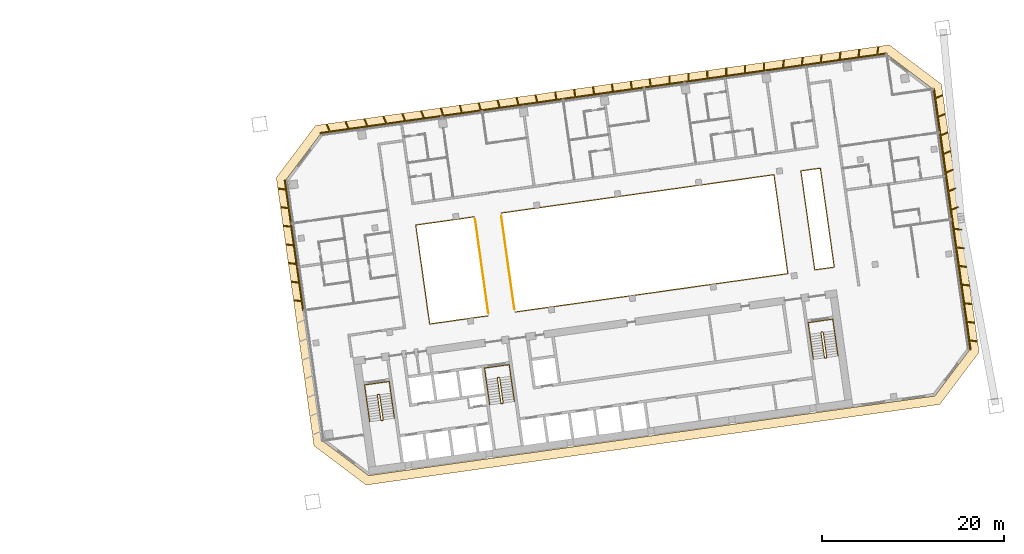
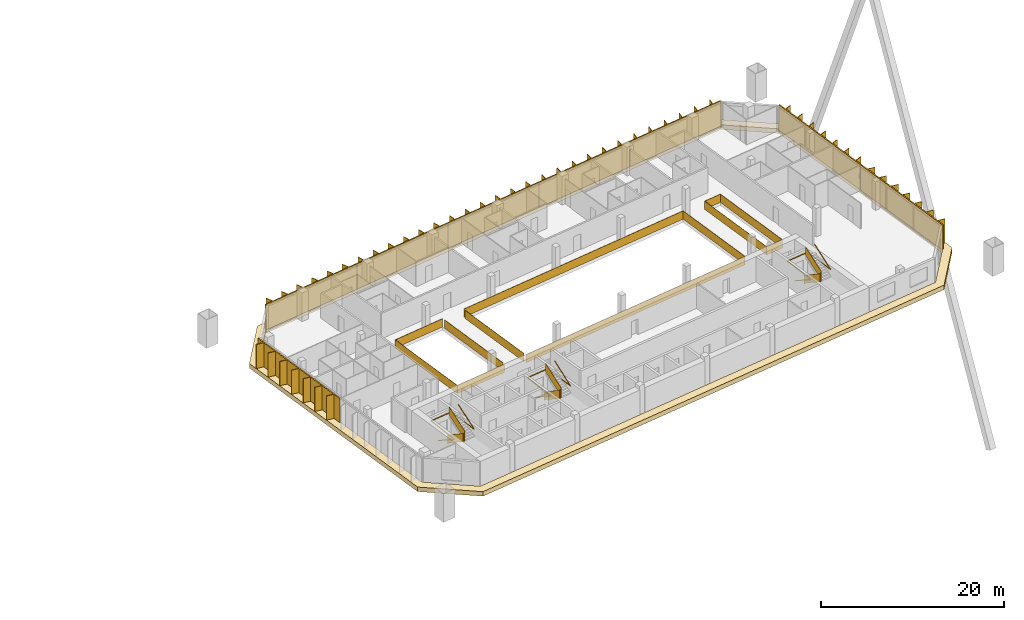
# One storey, part 33 of 33: 11 railings, 8 shading devices, 1 covering.
"""IFC4 building model written with IfcOpenShell, lengths in metres."""

import ifcopenshell
import ifcopenshell.guid

model = None  # the IFC model being written
_history = None  # IfcOwnerHistory: only IFC2X3 demands one
_inside = {}  # id of a spatial element -> (the spatial element, [elements in it])
_under = {}  # id of a project, library or spatial element -> (it, [spatial elements below it])
_declared = {}  # id of a project -> (the project, [libraries it declares])
_typed = {}  # id of a type object -> (the type object, [elements of that type])
_made_of = {}  # id of a material, layer set ... -> (it, [elements and type objects made of it])


def new_model(schema):
    """Start an empty IFC model of exactly this schema.

    Asked for "IFC4X3", IfcOpenShell would pick the latest addendum, in which some entities
    have other attributes; the version numbers below select the first issue.
    IFC2X3 requires an IfcOwnerHistory on every rooted entity: one is made here for all.
    """
    global model, _history
    if schema == "IFC4X3":
        model = ifcopenshell.file(schema_version=(4, 3, 0, 0))
    else:
        model = ifcopenshell.file(schema=schema)
    _inside.clear()
    _under.clear()
    _declared.clear()
    _typed.clear()
    _made_of.clear()
    _history = None
    if model.schema == "IFC2X3":
        org = make("IfcOrganization", Name="unknown")
        user = make(
            "IfcPersonAndOrganization",
            ThePerson=make("IfcPerson", FamilyName="unknown"),
            TheOrganization=org,
        )
        app = make(
            "IfcApplication",
            ApplicationDeveloper=org,
            Version="unknown",
            ApplicationFullName="unknown",
            ApplicationIdentifier="unknown",
        )
        _history = make(
            "IfcOwnerHistory",
            OwningUser=user,
            OwningApplication=app,
            ChangeAction="ADDED",
            CreationDate=0,
        )
    return model


def make(cls, **values):
    """One entity of the class cls with the attributes given. An attribute that is None is left unset."""
    return model.create_entity(
        cls, **{name: value for name, value in values.items() if value is not None}
    )


def rooted(cls, **values):
    """An entity with a GlobalId (a new one), such as an element, a storey or a relation."""
    return make(cls, GlobalId=ifcopenshell.guid.new(), OwnerHistory=_history, **values)


def si_unit(unit_type, name, prefix=None):
    """IfcSIUnit, for example si_unit("LENGTHUNIT", "METRE", prefix="MILLI")."""
    return make("IfcSIUnit", UnitType=unit_type, Prefix=prefix, Name=name)


def assignment(units):
    """IfcUnitAssignment: the units of a project."""
    return None if units is None else make("IfcUnitAssignment", Units=units)


def point(xyz):
    """IfcCartesianPoint."""
    return None if xyz is None else make("IfcCartesianPoint", Coordinates=xyz)


def direction(xyz):
    """IfcDirection."""
    return None if xyz is None else make("IfcDirection", DirectionRatios=xyz)


def frame(location, z_axis=None, x_axis=None):
    """IfcAxis2Placement3D, a coordinate frame: its origin and axes. An axis left out is left unset."""
    return make(
        "IfcAxis2Placement3D",
        Location=point(location),
        Axis=direction(z_axis),
        RefDirection=direction(x_axis),
    )


def frame_2d(location, x_axis=None):
    """IfcAxis2Placement2D, a coordinate frame in the plane: its origin and x axis."""
    return make(
        "IfcAxis2Placement2D", Location=point(location), RefDirection=direction(x_axis)
    )


def origin():
    """The frame at (0, 0, 0) with its axes left unset."""
    return frame((0.0, 0.0, 0.0))


def origin_2d():
    """The frame at (0, 0) in the plane with its x axis left unset."""
    return frame_2d((0.0, 0.0))


def place(relative_to, where):
    """IfcLocalPlacement: puts the frame where relative to a parent placement (None: the world)."""
    return make(
        "IfcLocalPlacement", PlacementRelTo=relative_to, RelativePlacement=where
    )


def context(
    kind, dimensions, precision=None, world=None, true_north=None, identifier=None
):
    """IfcGeometricRepresentationContext, for example the 3D "Model" context."""
    return make(
        "IfcGeometricRepresentationContext",
        ContextIdentifier=identifier,
        ContextType=kind,
        CoordinateSpaceDimension=dimensions,
        Precision=precision,
        WorldCoordinateSystem=world,
        TrueNorth=true_north,
    )


def subcontext(parent, identifier, kind, view, scale=None):
    """IfcGeometricRepresentationSubContext, for example "Body" below "Model"."""
    return make(
        "IfcGeometricRepresentationSubContext",
        ContextIdentifier=identifier,
        ContextType=kind,
        ParentContext=parent,
        TargetScale=scale,
        TargetView=view,
    )


def project(units=None, contexts=None):
    """IfcProject with its units and contexts."""
    return rooted(
        "IfcProject",
        Name="project",
        RepresentationContexts=contexts,
        UnitsInContext=assignment(units),
    )


def spatial(cls, under=None, at=None, **own):
    """A site, building, storey or space (cls), placed at a placement, below another one or the project."""
    s = rooted(cls, ObjectPlacement=at, **own)
    if under is not None:
        _under.setdefault(under.id(), (under, []))[1].append(s)
    return s


def polyline(points):
    """IfcPolyline through the points."""
    return make("IfcPolyline", Points=[point(p) for p in points])


def profile(cls, at=None, kind="AREA", **sizes):
    """A parametric profile (cls). Its sizes go by their IFC names, for example OverallWidth=200.0."""
    return make(cls, ProfileType=kind, Position=at, **sizes)


def rectangle(**sizes):
    """IfcRectangleProfileDef."""
    return profile("IfcRectangleProfileDef", **sizes)


def outline(outer, holes=None, kind="AREA"):
    """IfcArbitraryClosedProfileDef: a profile drawn as a closed curve; with holes, ...WithVoids."""
    if holes is None:
        return make("IfcArbitraryClosedProfileDef", ProfileType=kind, OuterCurve=outer)
    return make(
        "IfcArbitraryProfileDefWithVoids",
        ProfileType=kind,
        OuterCurve=outer,
        InnerCurves=holes,
    )


def extrude(swept, where, along, depth):
    """IfcExtrudedAreaSolid: the profile swept, set in the frame where, extruded along a direction by depth."""
    return make(
        "IfcExtrudedAreaSolid",
        SweptArea=swept,
        Position=where,
        ExtrudedDirection=direction(along),
        Depth=depth,
    )


def shape(context_of_items, identifier, shape_type, items):
    """IfcShapeRepresentation: the items that make up one representation, for example the "Body"."""
    return make(
        "IfcShapeRepresentation",
        ContextOfItems=context_of_items,
        RepresentationIdentifier=identifier,
        RepresentationType=shape_type,
        Items=items,
    )


def material(Name=None, Category=None):
    """IfcMaterial."""
    return make("IfcMaterial", Name=Name, Category=Category)


def layer(
    of_material, thickness, ventilated=None, Name=None, Category=None, Priority=None
):
    """IfcMaterialLayer: one layer of a wall or slab, of a material (None: an air gap)."""
    return make(
        "IfcMaterialLayer",
        Material=of_material,
        LayerThickness=thickness,
        IsVentilated=ventilated,
        Name=Name,
        Category=Category,
        Priority=Priority,
    )


def layer_set(layers, Name=None):
    """IfcMaterialLayerSet."""
    return make("IfcMaterialLayerSet", MaterialLayers=layers, LayerSetName=Name)


def made_of(thing, what):
    """Note that an element or type object is made of a material, layer set ...; save() writes the relation."""
    if what is not None:
        _made_of.setdefault(what.id(), (what, []))[1].append(thing)
    return thing


def type_object(cls, material=None, **own):
    """A type object (cls), such as IfcWallType, which elements share."""
    return made_of(rooted(cls, **own), material)


def element(
    cls,
    number,
    at=None,
    inside=None,
    cuts=None,
    type_object=None,
    material=None,
    context=None,
    identifier="Body",
    shape_type=None,
    held_by="IfcProductDefinitionShape",
    body=None,
    shapes=None,
    **own,
):
    """One element of the class cls, such as IfcWall. Its Tag is "e" and its number.

    at: its placement. inside: the storey or other place that contains it. cuts: it is an
    opening in that element (IfcRelVoidsElement). A single representation is given by context,
    identifier, shape_type and body (its items); several are given by shapes. held_by: the class
    of the entity that holds the representations. save() writes the other relations.
    """
    e = rooted(cls, Tag="e%d" % number, ObjectPlacement=at, **own)
    if body is not None:
        shapes = [shape(context, identifier, shape_type, body)]
    if shapes is not None:
        e.Representation = make(held_by, Representations=shapes)
    if inside is not None:
        _inside.setdefault(inside.id(), (inside, []))[1].append(e)
    if cuts is not None:
        rooted(
            "IfcRelVoidsElement", RelatingBuildingElement=cuts, RelatedOpeningElement=e
        )
    if type_object is not None:
        _typed.setdefault(type_object.id(), (type_object, []))[1].append(e)
    return made_of(e, material)


def aggregate(whole, parts):
    """IfcRelAggregates: a whole, such as a stair, and the parts it consists of."""
    return rooted("IfcRelAggregates", RelatingObject=whole, RelatedObjects=parts)


def save(model, path):
    """Write the relations noted so far, then the file.

    IfcRelAggregates (storeys below a building ...), IfcRelContainedInSpatialStructure (elements
    in a storey), IfcRelDefinesByType, IfcRelAssociatesMaterial and IfcRelDeclares: one each for
    every whole, place, type object, material and project.
    """
    for whole, parts in _under.values():
        aggregate(whole, parts)
    for where, things in _inside.values():
        rooted(
            "IfcRelContainedInSpatialStructure",
            RelatedElements=things,
            RelatingStructure=where,
        )
    for kind, things in _typed.values():
        rooted("IfcRelDefinesByType", RelatedObjects=things, RelatingType=kind)
    for what, things in _made_of.values():
        rooted("IfcRelAssociatesMaterial", RelatedObjects=things, RelatingMaterial=what)
    for by, libraries in _declared.values():
        rooted("IfcRelDeclares", RelatingContext=by, RelatedDefinitions=libraries)
    model.write(path)


model = new_model("IFC4")

# Units and contexts
model_context = context("Model", 3, precision=1e-05, world=origin(), true_north=direction((0.0, 1.0)))
body_context = subcontext(model_context, "Body", "Model", "MODEL_VIEW")
ifc_project = project(units=[si_unit("LENGTHUNIT", "METRE"), si_unit("AREAUNIT", "SQUARE_METRE"), si_unit("VOLUMEUNIT", "CUBIC_METRE"), si_unit("PLANEANGLEUNIT", "RADIAN"), si_unit("MASSUNIT", "GRAM", prefix="KILO")], contexts=[model_context])

# Site, building, storey
site_placement = place(None, origin())
site = spatial("IfcSite", under=ifc_project, at=site_placement, CompositionType="ELEMENT")
building_placement = place(site_placement, origin())
building = spatial("IfcBuilding", under=site, at=building_placement, Name="Mirante Cascada Hotel Towers", CompositionType="ELEMENT")
storey_placement = place(building_placement, frame((0.0, 0.0, 121.5)))
storey = spatial("IfcBuildingStorey", under=building, at=storey_placement, Name="L27", CompositionType="ELEMENT", Elevation=121.5)

# Railings
ifc_material_1 = material(Name="Toughened glass with stainless steel handrail", Category="steel")
railing_type_1 = type_object("IfcRailingType", Name="Atrium guard 1100 glass balustrade", PredefinedType="GUARDRAIL", material=ifc_material_1)
railing_1_placement = place(storey_placement, frame((48.76, 8.3112, 0.0)))
element("IfcRailing", 1, at=railing_1_placement, inside=storey, type_object=railing_type_1, Name="GUARD 2-L27-1", PredefinedType="GUARDRAIL", context=body_context, shape_type="SweptSolid", body=[
    extrude(rectangle(XDim=0.048, YDim=0.048, at=origin_2d()), frame((0.0, 0.0, 1.076), z_axis=(-0.9902694, -0.1391638, 0.0), x_axis=(0.1391638, -0.9902694, 0.0)), (0.0, 0.0, 1.0), 6.5125),
    extrude(rectangle(XDim=0.02, YDim=1.052, at=origin_2d()), frame((0.0, 0.0, 0.526), z_axis=(-0.9902694, -0.1391638, 0.0), x_axis=(0.1391638, -0.9902694, 0.0)), (0.0, 0.0, 1.0), 6.5125),
    extrude(rectangle(XDim=0.048, YDim=0.048, at=origin_2d()), frame((-6.4491, -0.9063, 1.076), z_axis=(0.1391721, -0.9902682, 0.0), x_axis=(0.9902682, 0.1391721, 0.0)), (0.0, 0.0, 1.0), 11.0001),
    extrude(rectangle(XDim=0.02, YDim=1.052, at=origin_2d()), frame((-6.4491, -0.9063, 0.526), z_axis=(0.1391721, -0.9902682, 0.0), x_axis=(0.9902682, 0.1391721, 0.0)), (0.0, 0.0, 1.0), 11.0001),
    extrude(rectangle(XDim=0.048, YDim=0.048, at=origin_2d()), frame((-4.9182, -11.7993, 1.076), z_axis=(0.9902673, 0.1391788, 0.0), x_axis=(-0.1391788, 0.9902673, 0.0)), (0.0, 0.0, 1.0), 6.5125),
    extrude(rectangle(XDim=0.02, YDim=1.052, at=origin_2d()), frame((-4.9182, -11.7993, 0.526), z_axis=(0.9902673, 0.1391788, 0.0), x_axis=(-0.1391788, 0.9902673, 0.0)), (0.0, 0.0, 1.0), 6.5125),
])
railing_2_placement = place(storey_placement, frame((53.2617, -2.1642, 0.0)))
element("IfcRailing", 2, at=railing_2_placement, inside=storey, type_object=railing_type_1, Name="GUARD 2-L27-2", PredefinedType="GUARDRAIL", context=body_context, shape_type="SweptSolid", body=[
    extrude(rectangle(XDim=0.048, YDim=0.048, at=origin_2d()), frame((0.0, 0.0, 1.076), z_axis=(0.9902682, 0.1391722, 0.0), x_axis=(-0.1391722, 0.9902682, 0.0)), (0.0, 0.0, 1.0), 30.325),
    extrude(rectangle(XDim=0.02, YDim=1.052, at=origin_2d()), frame((0.0, 0.0, 0.526), z_axis=(0.9902682, 0.1391722, 0.0), x_axis=(-0.1391722, 0.9902682, 0.0)), (0.0, 0.0, 1.0), 30.325),
    extrude(rectangle(XDim=0.048, YDim=0.048, at=origin_2d()), frame((30.0299, 4.2204, 1.076), z_axis=(-0.1391721, 0.9902682, 0.0), x_axis=(-0.9902682, -0.1391721, 0.0)), (0.0, 0.0, 1.0), 11.0001),
    extrude(rectangle(XDim=0.02, YDim=1.052, at=origin_2d()), frame((30.0299, 4.2204, 0.526), z_axis=(-0.1391721, 0.9902682, 0.0), x_axis=(-0.9902682, -0.1391721, 0.0)), (0.0, 0.0, 1.0), 11.0001),
    extrude(rectangle(XDim=0.048, YDim=0.048, at=origin_2d()), frame((28.499, 15.1134, 1.076), z_axis=(-0.9902682, -0.1391722, 0.0), x_axis=(0.1391722, -0.9902682, 0.0)), (0.0, 0.0, 1.0), 30.325),
    extrude(rectangle(XDim=0.02, YDim=1.052, at=origin_2d()), frame((28.499, 15.1134, 0.526), z_axis=(-0.9902682, -0.1391722, 0.0), x_axis=(0.1391722, -0.9902682, 0.0)), (0.0, 0.0, 1.0), 30.325),
])
railing_3_placement = place(storey_placement, frame((86.2624, 2.4738, 0.0)))
element("IfcRailing", 3, at=railing_3_placement, inside=storey, type_object=railing_type_1, Name="GUARD 2-L27-3", PredefinedType="GUARDRAIL", context=body_context, shape_type="SweptSolid", body=[
    extrude(rectangle(XDim=0.048, YDim=0.048, at=origin_2d()), frame((0.0, 0.0, 1.076), z_axis=(0.9902724, 0.1391422, 0.0), x_axis=(-0.1391422, 0.9902724, 0.0)), (0.0, 0.0, 1.0), 2.1625),
    extrude(rectangle(XDim=0.02, YDim=1.052, at=origin_2d()), frame((0.0, 0.0, 0.526), z_axis=(0.9902724, 0.1391422, 0.0), x_axis=(-0.1391422, 0.9902724, 0.0)), (0.0, 0.0, 1.0), 2.1625),
    extrude(rectangle(XDim=0.048, YDim=0.048, at=origin_2d()), frame((2.1415, 0.3009, 1.076), z_axis=(-0.1391721, 0.9902682, 0.0), x_axis=(-0.9902682, -0.1391721, 0.0)), (0.0, 0.0, 1.0), 11.0001),
    extrude(rectangle(XDim=0.02, YDim=1.052, at=origin_2d()), frame((2.1415, 0.3009, 0.526), z_axis=(-0.1391721, 0.9902682, 0.0), x_axis=(-0.9902682, -0.1391721, 0.0)), (0.0, 0.0, 1.0), 11.0001),
    extrude(rectangle(XDim=0.048, YDim=0.048, at=origin_2d()), frame((0.6106, 11.1939, 1.076), z_axis=(-0.990266, -0.1391875, 0.0), x_axis=(0.1391875, -0.990266, 0.0)), (0.0, 0.0, 1.0), 2.1626),
    extrude(rectangle(XDim=0.02, YDim=1.052, at=origin_2d()), frame((0.6106, 11.1939, 0.526), z_axis=(-0.990266, -0.1391875, 0.0), x_axis=(0.1391875, -0.990266, 0.0)), (0.0, 0.0, 1.0), 2.1626),
    extrude(rectangle(XDim=0.048, YDim=0.048, at=origin_2d()), frame((-1.5309, 10.8929, 1.076), z_axis=(0.1391733, -0.990268, 0.0), x_axis=(0.990268, 0.1391733, 0.0)), (0.0, 0.0, 1.0), 11.0),
    extrude(rectangle(XDim=0.02, YDim=1.052, at=origin_2d()), frame((-1.5309, 10.8929, 0.526), z_axis=(0.1391733, -0.990268, 0.0), x_axis=(0.990268, 0.1391733, 0.0)), (0.0, 0.0, 1.0), 11.0),
])
railing_4_placement = place(storey_placement, frame((50.2983, -2.2822, 0.0)))
element("IfcRailing", 4, at=railing_4_placement, inside=storey, type_object=railing_type_1, Name="GUARD 2-L27-4", PredefinedType="GUARDRAIL", context=body_context, shape_type="SweptSolid", body=[
    extrude(rectangle(XDim=0.048, YDim=0.048, at=origin_2d()), frame((0.0, 0.0, 1.076), z_axis=(-0.1391708, 0.9902684, 0.0), x_axis=(-0.9902684, -0.1391708, 0.0)), (0.0, 0.0, 1.0), 10.4088),
    extrude(rectangle(XDim=0.02, YDim=1.052, at=origin_2d()), frame((0.0, 0.0, 0.526), z_axis=(-0.1391708, 0.9902684, 0.0), x_axis=(-0.9902684, -0.1391708, 0.0)), (0.0, 0.0, 1.0), 10.4088),
])
railing_5_placement = place(storey_placement, frame((51.7234, 8.4292, 0.0)))
element("IfcRailing", 5, at=railing_5_placement, inside=storey, type_object=railing_type_1, Name="GUARD 2-L27-5", PredefinedType="GUARDRAIL", context=body_context, shape_type="SweptSolid", body=[
    extrude(rectangle(XDim=0.048, YDim=0.048, at=origin_2d()), frame((0.0, 0.0, 1.076), z_axis=(0.1391721, -0.9902682, 0.0), x_axis=(0.9902682, 0.1391721, 0.0)), (0.0, 0.0, 1.0), 10.4087),
    extrude(rectangle(XDim=0.02, YDim=1.052, at=origin_2d()), frame((0.0, 0.0, 0.526), z_axis=(0.1391721, -0.9902682, 0.0), x_axis=(0.9902682, 0.1391721, 0.0)), (0.0, 0.0, 1.0), 10.4087),
])

# Covering
ifc_material_2 = material(Name="Precast concrete C40/50 white", Category="concrete")
ifc_layer = layer(ifc_material_2, 0.6)
ifc_layer_set = layer_set([ifc_layer], Name="Precast concrete SUNSHADE band 1000x600")
covering_type = type_object("IfcCoveringType", Name="Precast concrete SUNSHADE band 1000x600", PredefinedType="CLADDING", material=ifc_layer_set)
covering_placement = place(storey_placement, frame((0.0, 0.0, -0.45)))
element("IfcCovering", 6, at=covering_placement, inside=storey, type_object=covering_type, Name="Precast concrete SUNSHADE band T2 L27", PredefinedType="CLADDING", context=body_context, shape_type="SweptSolid", body=[
    extrude(outline(polyline([(26.9341, 12.6299), (31.2626, 18.374), (94.4698, 27.2572), (100.2139, 22.9287), (104.3652, -6.6094), (100.0367, -12.3535), (36.8295, -21.2367), (31.0854, -16.9082), (26.9341, 12.6299)]), holes=[polyline([(103.3173, -6.3384), (99.2813, 22.3794), (94.1988, 26.2093), (31.8119, 17.4414), (27.982, 12.3589), (32.018, -16.3589), (37.1005, -20.1888), (99.4874, -11.4209), (103.3173, -6.3384)])]), origin(), (0.0, 0.0, 1.0), 0.6),
])

# Railings
ifc_material_3 = material(Name="Painted steel", Category="steel")
railing_type_2 = type_object("IfcRailingType", Name="Stair guard 1100 steel balustrade", PredefinedType="GUARDRAIL", material=ifc_material_3)
railing_6_placement = place(storey_placement, frame((38.2663, -11.2395, 0.0)))
element("IfcRailing", 7, at=railing_6_placement, inside=storey, type_object=railing_type_2, Name="L27 ST2-A stair guard 1", PredefinedType="GUARDRAIL", context=body_context, shape_type="SweptSolid", body=[
    extrude(rectangle(XDim=0.048, YDim=0.048, at=origin_2d()), frame((0.0, 0.0, 1.076), z_axis=(-0.9903326, -0.1387133, 0.0), x_axis=(0.1387133, -0.9903326, 0.0)), (0.0, 0.0, 1.0), 0.1499),
    extrude(rectangle(XDim=0.02, YDim=1.052, at=origin_2d()), frame((0.0, 0.0, 0.526), z_axis=(-0.9903326, -0.1387133, 0.0), x_axis=(0.1387133, -0.9903326, 0.0)), (0.0, 0.0, 1.0), 0.1499),
    extrude(rectangle(XDim=0.048, YDim=0.048, at=origin_2d()), frame((-0.1485, -0.0208, 1.076), z_axis=(-0.6020331, -0.7984711, 0.0), x_axis=(0.7984711, -0.6020331, 0.0)), (0.0, 0.9253398, 0.3791387), 0.1866),
    extrude(rectangle(XDim=0.02, YDim=1.052, at=origin_2d()), frame((-0.1485, -0.0208, 0.526), z_axis=(-0.6020331, -0.7984711, 0.0), x_axis=(0.7984711, -0.6020331, 0.0)), (0.0, 0.9253398, 0.3791387), 0.1866),
    extrude(rectangle(XDim=0.048, YDim=0.048, at=origin_2d()), frame((-0.1911, -0.0773, 1.2487), z_axis=(0.139176, -0.9902677, 0.0), x_axis=(0.9902677, 0.139176, 0.0)), (0.0, 0.5250212, 0.8510891), 3.29),
    extrude(rectangle(XDim=0.02, YDim=1.052, at=origin_2d()), frame((-0.1911, -0.0773, 0.6987), z_axis=(0.139176, -0.9902677, 0.0), x_axis=(0.9902677, 0.139176, 0.0)), (0.0, 0.5250212, 0.8510891), 3.29),
    extrude(rectangle(XDim=0.048, YDim=0.048, at=origin_2d()), frame((0.1986, -2.8501, 2.976), z_axis=(0.9944948, -0.1047858, 0.0), x_axis=(0.1047858, 0.9944948, 0.0)), (0.0, 0.0, 1.0), 0.2061),
    extrude(rectangle(XDim=0.02, YDim=1.052, at=origin_2d()), frame((0.1986, -2.8501, 2.426), z_axis=(0.9944948, -0.1047858, 0.0), x_axis=(0.1047858, 0.9944948, 0.0)), (0.0, 0.0, 1.0), 0.2061),
    extrude(rectangle(XDim=0.048, YDim=0.048, at=origin_2d()), frame((0.4036, -2.8717, 2.976), z_axis=(-0.9902408, -0.1393672, 0.0), x_axis=(0.1393672, -0.9902408, 0.0)), (0.0, 0.0, 1.0), 0.15),
    extrude(rectangle(XDim=0.02, YDim=1.052, at=origin_2d()), frame((0.4036, -2.8717, 2.426), z_axis=(-0.9902408, -0.1393672, 0.0), x_axis=(0.1393672, -0.9902408, 0.0)), (0.0, 0.0, 1.0), 0.15),
    extrude(rectangle(XDim=0.048, YDim=0.048, at=origin_2d()), frame((0.2551, -2.8926, 2.976), z_axis=(0.9270311, 0.3749843, 0.0), x_axis=(-0.3749843, 0.9270311, 0.0)), (0.0, 0.6421903, 0.7665452), 0.2689),
    extrude(rectangle(XDim=0.02, YDim=1.052, at=origin_2d()), frame((0.2551, -2.8926, 2.426), z_axis=(0.9270311, 0.3749843, 0.0), x_axis=(-0.3749843, 0.9270311, 0.0)), (0.0, 0.6421903, 0.7665452), 0.2689),
    extrude(rectangle(XDim=0.048, YDim=0.048, at=origin_2d()), frame((0.4462, -2.8153, 3.1487), z_axis=(-0.139176, 0.9902677, 0.0), x_axis=(-0.9902677, -0.139176, 0.0)), (0.0, 0.5250212, 0.8510891), 3.29),
    extrude(rectangle(XDim=0.02, YDim=1.052, at=origin_2d()), frame((0.4462, -2.8153, 2.5987), z_axis=(-0.139176, 0.9902677, 0.0), x_axis=(-0.9902677, -0.139176, 0.0)), (0.0, 0.5250212, 0.8510891), 3.29),
])
railing_7_placement = place(storey_placement, frame((51.4864, -9.3815, 0.0)))
element("IfcRailing", 8, at=railing_7_placement, inside=storey, type_object=railing_type_2, Name="L27 ST2-B stair guard 1", PredefinedType="GUARDRAIL", context=body_context, shape_type="SweptSolid", body=[
    extrude(rectangle(XDim=0.048, YDim=0.048, at=origin_2d()), frame((0.0, 0.0, 1.076), z_axis=(-0.9902408, -0.1393672, 0.0), x_axis=(0.1393672, -0.9902408, 0.0)), (0.0, 0.0, 1.0), 0.15),
    extrude(rectangle(XDim=0.02, YDim=1.052, at=origin_2d()), frame((0.0, 0.0, 0.526), z_axis=(-0.9902408, -0.1393672, 0.0), x_axis=(0.1393672, -0.9902408, 0.0)), (0.0, 0.0, 1.0), 0.15),
    extrude(rectangle(XDim=0.048, YDim=0.048, at=origin_2d()), frame((-0.1485, -0.0209, 1.076), z_axis=(-0.6020331, -0.7984711, 0.0), x_axis=(0.7984711, -0.6020331, 0.0)), (0.0, 0.9253398, 0.3791387), 0.1866),
    extrude(rectangle(XDim=0.02, YDim=1.052, at=origin_2d()), frame((-0.1485, -0.0209, 0.526), z_axis=(-0.6020331, -0.7984711, 0.0), x_axis=(0.7984711, -0.6020331, 0.0)), (0.0, 0.9253398, 0.3791387), 0.1866),
    extrude(rectangle(XDim=0.048, YDim=0.048, at=origin_2d()), frame((-0.1911, -0.0774, 1.2487), z_axis=(0.139181, -0.990267, 0.0), x_axis=(0.990267, 0.139181, 0.0)), (0.0, 0.5250347, 0.8510808), 3.2899),
    extrude(rectangle(XDim=0.02, YDim=1.052, at=origin_2d()), frame((-0.1911, -0.0774, 0.6987), z_axis=(0.139181, -0.990267, 0.0), x_axis=(0.990267, 0.139181, 0.0)), (0.0, 0.5250347, 0.8510808), 3.2899),
    extrude(rectangle(XDim=0.048, YDim=0.048, at=origin_2d()), frame((0.1986, -2.8501, 2.976), z_axis=(0.9944441, -0.1052656, 0.0), x_axis=(0.1052656, 0.9944441, 0.0)), (0.0, 0.0, 1.0), 0.2061),
    extrude(rectangle(XDim=0.02, YDim=1.052, at=origin_2d()), frame((0.1986, -2.8501, 2.426), z_axis=(0.9944441, -0.1052656, 0.0), x_axis=(0.1052656, 0.9944441, 0.0)), (0.0, 0.0, 1.0), 0.2061),
    extrude(rectangle(XDim=0.048, YDim=0.048, at=origin_2d()), frame((0.4036, -2.8718, 2.976), z_axis=(-0.9902408, -0.1393672, 0.0), x_axis=(0.1393672, -0.9902408, 0.0)), (0.0, 0.0, 1.0), 0.15),
    extrude(rectangle(XDim=0.02, YDim=1.052, at=origin_2d()), frame((0.4036, -2.8718, 2.426), z_axis=(-0.9902408, -0.1393672, 0.0), x_axis=(0.1393672, -0.9902408, 0.0)), (0.0, 0.0, 1.0), 0.15),
    extrude(rectangle(XDim=0.048, YDim=0.048, at=origin_2d()), frame((0.2551, -2.8927, 2.976), z_axis=(0.9268624, 0.3754011, 0.0), x_axis=(-0.3754011, 0.9268624, 0.0)), (0.0, 0.6421217, 0.7666028), 0.269),
    extrude(rectangle(XDim=0.02, YDim=1.052, at=origin_2d()), frame((0.2551, -2.8927, 2.426), z_axis=(0.9268624, 0.3754011, 0.0), x_axis=(-0.3754011, 0.9268624, 0.0)), (0.0, 0.6421217, 0.7666028), 0.269),
    extrude(rectangle(XDim=0.048, YDim=0.048, at=origin_2d()), frame((0.4462, -2.8153, 3.1487), z_axis=(-0.139181, 0.990267, 0.0), x_axis=(-0.990267, -0.139181, 0.0)), (0.0, 0.5250347, 0.8510808), 3.2899),
    extrude(rectangle(XDim=0.02, YDim=1.052, at=origin_2d()), frame((0.4462, -2.8153, 2.5987), z_axis=(-0.139181, 0.990267, 0.0), x_axis=(-0.990267, -0.139181, 0.0)), (0.0, 0.5250347, 0.8510808), 3.2899),
])
railing_8_placement = place(storey_placement, frame((87.1361, -4.3713, 0.0)))
element("IfcRailing", 9, at=railing_8_placement, inside=storey, type_object=railing_type_2, Name="L27 ST2-C stair guard 1", PredefinedType="GUARDRAIL", context=body_context, shape_type="SweptSolid", body=[
    extrude(rectangle(XDim=0.048, YDim=0.048, at=origin_2d()), frame((0.0, 0.0, 1.076), z_axis=(-0.9902537, -0.1392753, 0.0), x_axis=(0.1392753, -0.9902537, 0.0)), (0.0, 0.0, 1.0), 0.1501),
    extrude(rectangle(XDim=0.02, YDim=1.052, at=origin_2d()), frame((0.0, 0.0, 0.526), z_axis=(-0.9902537, -0.1392753, 0.0), x_axis=(0.1392753, -0.9902537, 0.0)), (0.0, 0.0, 1.0), 0.1501),
    extrude(rectangle(XDim=0.048, YDim=0.048, at=origin_2d()), frame((-0.1486, -0.0209, 1.076), z_axis=(-0.601811, -0.7986386, 0.0), x_axis=(0.7986386, -0.601811, 0.0)), (0.0, 0.925603, 0.3784959), 0.1866),
    extrude(rectangle(XDim=0.02, YDim=1.052, at=origin_2d()), frame((-0.1486, -0.0209, 0.526), z_axis=(-0.601811, -0.7986386, 0.0), x_axis=(0.7986386, -0.601811, 0.0)), (0.0, 0.925603, 0.3784959), 0.1866),
    extrude(rectangle(XDim=0.048, YDim=0.048, at=origin_2d()), frame((-0.1911, -0.0773, 1.2487), z_axis=(0.139176, -0.9902677, 0.0), x_axis=(0.9902677, 0.139176, 0.0)), (0.0, 0.5250212, 0.8510891), 3.29),
    extrude(rectangle(XDim=0.02, YDim=1.052, at=origin_2d()), frame((-0.1911, -0.0773, 0.6987), z_axis=(0.139176, -0.9902677, 0.0), x_axis=(0.9902677, 0.139176, 0.0)), (0.0, 0.5250212, 0.8510891), 3.29),
    extrude(rectangle(XDim=0.048, YDim=0.048, at=origin_2d()), frame((0.1986, -2.8501, 2.976), z_axis=(0.9944441, -0.1052656, 0.0), x_axis=(0.1052656, 0.9944441, 0.0)), (0.0, 0.0, 1.0), 0.2061),
    extrude(rectangle(XDim=0.02, YDim=1.052, at=origin_2d()), frame((0.1986, -2.8501, 2.426), z_axis=(0.9944441, -0.1052656, 0.0), x_axis=(0.1052656, 0.9944441, 0.0)), (0.0, 0.0, 1.0), 0.2061),
    extrude(rectangle(XDim=0.048, YDim=0.048, at=origin_2d()), frame((0.4036, -2.8718, 2.976), z_axis=(-0.9903454, -0.1386217, 0.0), x_axis=(0.1386217, -0.9903454, 0.0)), (0.0, 0.0, 1.0), 0.15),
    extrude(rectangle(XDim=0.02, YDim=1.052, at=origin_2d()), frame((0.4036, -2.8718, 2.426), z_axis=(-0.9903454, -0.1386217, 0.0), x_axis=(0.1386217, -0.9903454, 0.0)), (0.0, 0.0, 1.0), 0.15),
    extrude(rectangle(XDim=0.048, YDim=0.048, at=origin_2d()), frame((0.255, -2.8926, 2.976), z_axis=(0.9270311, 0.3749843, 0.0), x_axis=(-0.3749843, 0.9270311, 0.0)), (0.0, 0.6421903, 0.7665452), 0.2689),
    extrude(rectangle(XDim=0.02, YDim=1.052, at=origin_2d()), frame((0.255, -2.8926, 2.426), z_axis=(0.9270311, 0.3749843, 0.0), x_axis=(-0.3749843, 0.9270311, 0.0)), (0.0, 0.6421903, 0.7665452), 0.2689),
    extrude(rectangle(XDim=0.048, YDim=0.048, at=origin_2d()), frame((0.4461, -2.8153, 3.1487), z_axis=(-0.139176, 0.9902677, 0.0), x_axis=(-0.9902677, -0.139176, 0.0)), (0.0, 0.5250212, 0.8510891), 3.29),
    extrude(rectangle(XDim=0.02, YDim=1.052, at=origin_2d()), frame((0.4461, -2.8153, 2.5987), z_axis=(-0.139176, 0.9902677, 0.0), x_axis=(-0.9902677, -0.139176, 0.0)), (0.0, 0.5250212, 0.8510891), 3.29),
])
ifc_material_4 = material(Name="Painted steel", Category="steel")
railing_type_3 = type_object("IfcRailingType", Name="Stair handrail 900 steel tube", PredefinedType="HANDRAIL", material=ifc_material_4)
railing_9_placement = place(storey_placement, frame((36.8374, -11.4908, 0.1727)))
element("IfcRailing", 10, at=railing_9_placement, inside=storey, type_object=railing_type_3, Name="L27 ST2-A stair handrail 1", PredefinedType="HANDRAIL", context=body_context, shape_type="SweptSolid", body=[
    extrude(rectangle(XDim=0.048, YDim=0.048, at=origin_2d()), frame((0.0, 0.0, 0.876), z_axis=(0.139181, -0.990267, 0.0), x_axis=(0.990267, 0.139181, 0.0)), (0.0, 0.5250347, 0.8510808), 3.2899),
    extrude(rectangle(XDim=0.048, YDim=0.048, at=origin_2d()), frame((0.3897, -2.7727, 2.6033), z_axis=(-0.1391707, 0.9902684, 0.0), x_axis=(-0.9902684, -0.1391707, 0.0)), (0.0, 0.0420846, 0.999114), 4.1036),
    extrude(rectangle(XDim=0.048, YDim=0.048, at=origin_2d()), frame((-0.1809, 1.2874, 2.776), z_axis=(0.9902691, 0.1391657, 0.0), x_axis=(-0.1391657, 0.9902691, 0.0)), (0.0, 0.0, 1.0), 2.75),
    extrude(rectangle(XDim=0.048, YDim=0.048, at=origin_2d()), frame((2.5423, 1.6701, 2.776), z_axis=(0.1391707, -0.9902684, 0.0), x_axis=(0.9902684, 0.1391707, 0.0)), (0.0, 0.0, 1.0), 4.1),
    extrude(rectangle(XDim=0.048, YDim=0.048, at=origin_2d()), frame((3.1129, -2.39, 2.776), z_axis=(-0.139181, 0.990267, 0.0), x_axis=(-0.990267, -0.139181, 0.0)), (0.0, 0.5250347, 0.8510808), 3.2899),
])
railing_10_placement = place(storey_placement, frame((50.0575, -9.6328, 0.1727)))
element("IfcRailing", 11, at=railing_10_placement, inside=storey, type_object=railing_type_3, Name="L27 ST2-B stair handrail 1", PredefinedType="HANDRAIL", context=body_context, shape_type="SweptSolid", body=[
    extrude(rectangle(XDim=0.048, YDim=0.048, at=origin_2d()), frame((0.0, 0.0, 0.876), z_axis=(0.139176, -0.9902677, 0.0), x_axis=(0.9902677, 0.139176, 0.0)), (0.0, 0.5250212, 0.8510891), 3.29),
    extrude(rectangle(XDim=0.048, YDim=0.048, at=origin_2d()), frame((0.3897, -2.7728, 2.6033), z_axis=(-0.1391707, 0.9902684, 0.0), x_axis=(-0.9902684, -0.1391707, 0.0)), (0.0, 0.0420846, 0.999114), 4.1036),
    extrude(rectangle(XDim=0.048, YDim=0.048, at=origin_2d()), frame((-0.1809, 1.2873, 2.776), z_axis=(0.9902641, 0.1392013, 0.0), x_axis=(-0.1392013, 0.9902641, 0.0)), (0.0, 0.0, 1.0), 2.75),
    extrude(rectangle(XDim=0.048, YDim=0.048, at=origin_2d()), frame((2.5423, 1.6701, 2.776), z_axis=(0.1391707, -0.9902684, 0.0), x_axis=(0.9902684, 0.1391707, 0.0)), (0.0, 0.0, 1.0), 4.1),
    extrude(rectangle(XDim=0.048, YDim=0.048, at=origin_2d()), frame((3.1129, -2.39, 2.776), z_axis=(-0.139181, 0.990267, 0.0), x_axis=(-0.990267, -0.139181, 0.0)), (0.0, 0.5250347, 0.8510808), 3.2899),
])
railing_11_placement = place(storey_placement, frame((85.7071, -4.6226, 0.1727)))
element("IfcRailing", 12, at=railing_11_placement, inside=storey, type_object=railing_type_3, Name="L27 ST2-C stair handrail 1", PredefinedType="HANDRAIL", context=body_context, shape_type="SweptSolid", body=[
    extrude(rectangle(XDim=0.048, YDim=0.048, at=origin_2d()), frame((0.0, 0.0, 0.876), z_axis=(0.139181, -0.990267, 0.0), x_axis=(0.990267, 0.139181, 0.0)), (0.0, 0.5250347, 0.8510808), 3.2899),
    extrude(rectangle(XDim=0.048, YDim=0.048, at=origin_2d()), frame((0.3897, -2.7727, 2.6033), z_axis=(-0.1391707, 0.9902684, 0.0), x_axis=(-0.9902684, -0.1391707, 0.0)), (0.0, 0.0420846, 0.999114), 4.1036),
    extrude(rectangle(XDim=0.048, YDim=0.048, at=origin_2d()), frame((-0.1809, 1.2874, 2.776), z_axis=(0.9902691, 0.1391657, 0.0), x_axis=(-0.1391657, 0.9902691, 0.0)), (0.0, 0.0, 1.0), 2.75),
    extrude(rectangle(XDim=0.048, YDim=0.048, at=origin_2d()), frame((2.5423, 1.6701, 2.776), z_axis=(0.1391947, -0.990265, 0.0), x_axis=(0.990265, 0.1391947, 0.0)), (0.0, 0.0, 1.0), 4.1),
    extrude(rectangle(XDim=0.048, YDim=0.048, at=origin_2d()), frame((3.113, -2.39, 2.776), z_axis=(-0.139181, 0.990267, 0.0), x_axis=(-0.990267, -0.139181, 0.0)), (0.0, 0.5250347, 0.8510808), 3.2899),
])

# Shading devices
ifc_material_5 = material(Name="White precast concrete C50/60 fin", Category="concrete")
shading_device_type = type_object("IfcShadingDeviceType", Name="Vertical fin set 4500x900", PredefinedType="USERDEFINED", material=ifc_material_5)
shading_device_1_placement = place(storey_placement, origin())
element("IfcShadingDevice", 13, at=shading_device_1_placement, inside=storey, type_object=shading_device_type, Name="FIN T2 L27 front 1", ObjectType="FIN", PredefinedType="USERDEFINED", context=body_context, shape_type="SweptSolid", body=[
    extrude(outline(polyline([(82.8967, 25.5893), (82.7946, 24.758), (84.7922, 25.0387), (84.8968, 25.8913), (84.9762, 25.8815), (84.8742, 25.0503), (86.8717, 25.331), (86.9764, 26.1835), (87.0558, 26.1738), (86.9537, 25.3425), (88.9513, 25.6233), (89.056, 26.4758), (89.1354, 26.4661), (89.0333, 25.6348), (91.0308, 25.9155), (91.1355, 26.7681), (91.2149, 26.7583), (91.1129, 25.9271), (93.1104, 26.2078), (93.2151, 27.0603), (93.2945, 27.0506), (93.1924, 26.2193), (94.1779, 26.3578), (94.1988, 26.2093), (81.7214, 24.4557), (81.7006, 24.6042), (82.7126, 24.7465), (82.8173, 25.599), (82.8967, 25.5893)])), origin(), (0.0, 0.0, 1.0), 3.35),
])
shading_device_2_placement = place(storey_placement, origin())
element("IfcShadingDevice", 14, at=shading_device_2_placement, inside=storey, type_object=shading_device_type, Name="FIN T2 L27 front 2", ObjectType="FIN", PredefinedType="USERDEFINED", context=body_context, shape_type="SweptSolid", body=[
    extrude(outline(polyline([(70.3021, 23.8476), (70.3094, 23.0033), (72.3091, 23.2844), (72.3016, 24.1392), (72.3816, 24.1399), (72.389, 23.2956), (74.3886, 23.5766), (74.3812, 24.4314), (74.4612, 24.4321), (74.4686, 23.5878), (76.4682, 23.8689), (76.4608, 24.7237), (76.5407, 24.7244), (76.5481, 23.8801), (78.5478, 24.1611), (78.5403, 25.0159), (78.6203, 25.0166), (78.6277, 24.1724), (80.6273, 24.4534), (80.6199, 25.3082), (80.6999, 25.3089), (80.7072, 24.4646), (81.7006, 24.6042), (81.7214, 24.4557), (69.2441, 22.7021), (69.2232, 22.8507), (70.2295, 22.9921), (70.2221, 23.8469), (70.3021, 23.8476)])), origin(), (0.0, 0.0, 1.0), 3.35),
])
shading_device_3_placement = place(storey_placement, origin())
element("IfcShadingDevice", 15, at=shading_device_3_placement, inside=storey, type_object=shading_device_type, Name="FIN T2 L27 front 3", ObjectType="FIN", PredefinedType="USERDEFINED", context=body_context, shape_type="SweptSolid", body=[
    extrude(outline(polyline([(57.7069, 22.0905), (57.8252, 21.2488), (59.8255, 21.5299), (59.7072, 22.3716), (59.7865, 22.3828), (59.9048, 21.541), (61.9051, 21.8222), (61.7868, 22.6639), (61.866, 22.675), (61.9843, 21.8333), (63.9847, 22.1144), (63.8664, 22.9562), (63.9456, 22.9673), (64.0639, 22.1256), (66.0642, 22.4067), (65.9459, 23.2484), (66.0251, 23.2596), (66.1434, 22.4178), (68.1438, 22.699), (68.0255, 23.5407), (68.1047, 23.5518), (68.223, 22.7101), (69.2232, 22.8507), (69.2441, 22.7021), (56.7667, 20.9485), (56.7458, 21.0971), (57.746, 21.2376), (57.6277, 22.0794), (57.7069, 22.0905)])), origin(), (0.0, 0.0, 1.0), 3.35),
])
shading_device_4_placement = place(storey_placement, origin())
element("IfcShadingDevice", 16, at=shading_device_4_placement, inside=storey, type_object=shading_device_type, Name="FIN T2 L27 front 4", ObjectType="FIN", PredefinedType="USERDEFINED", context=body_context, shape_type="SweptSolid", body=[
    extrude(outline(polyline([(45.1132, 20.3181), (45.3416, 19.4943), (47.3413, 19.7754), (47.1157, 20.589), (47.1928, 20.6103), (47.4212, 19.7866), (49.4209, 20.0676), (49.1952, 20.8812), (49.2723, 20.9026), (49.5008, 20.0789), (51.5004, 20.3599), (51.2748, 21.1735), (51.3519, 21.1949), (51.5803, 20.3711), (53.58, 20.6521), (53.3544, 21.4657), (53.4314, 21.4871), (53.6599, 20.6634), (55.6595, 20.9444), (55.4339, 21.758), (55.511, 21.7794), (55.7394, 20.9556), (56.7458, 21.0971), (56.7667, 20.9485), (44.2893, 19.195), (44.2684, 19.3435), (45.2617, 19.4831), (45.0361, 20.2967), (45.1132, 20.3181)])), origin(), (0.0, 0.0, 1.0), 3.35),
])
shading_device_5_placement = place(storey_placement, origin())
element("IfcShadingDevice", 17, at=shading_device_5_placement, inside=storey, type_object=shading_device_type, Name="FIN T2 L27 front 5", ObjectType="FIN", PredefinedType="USERDEFINED", context=body_context, shape_type="SweptSolid", body=[
    extrude(outline(polyline([(32.5229, 18.5306), (32.8586, 17.7399), (34.8561, 18.0207), (34.5289, 18.7916), (34.6025, 18.8229), (34.9381, 18.0322), (36.9357, 18.3129), (36.6084, 19.0839), (36.6821, 19.1151), (37.0177, 18.3245), (39.0152, 18.6052), (38.688, 19.3761), (38.7616, 19.4074), (39.0973, 18.6167), (41.0948, 18.8975), (40.7676, 19.6684), (40.8412, 19.6997), (41.1768, 18.909), (43.1744, 19.1897), (42.8471, 19.9607), (42.9208, 19.9919), (43.2564, 19.2013), (44.2684, 19.3435), (44.2893, 19.195), (31.8119, 17.4414), (31.791, 17.5899), (32.7765, 17.7284), (32.4493, 18.4994), (32.5229, 18.5306)])), origin(), (0.0, 0.0, 1.0), 3.35),
])
shading_device_6_placement = place(storey_placement, origin())
element("IfcShadingDevice", 18, at=shading_device_6_placement, inside=storey, type_object=shading_device_type, Name="FIN T2 L27 inner 1", ObjectType="FIN", PredefinedType="USERDEFINED", context=body_context, shape_type="SweptSolid", body=[
    extrude(outline(polyline([(28.8684, -0.8389), (29.6997, -0.941), (29.4229, 1.0283), (28.5704, 1.133), (28.5801, 1.2124), (29.4114, 1.1103), (29.1346, 3.0796), (28.2821, 3.1842), (28.2918, 3.2636), (29.1231, 3.1616), (28.8464, 5.1308), (27.9938, 5.2355), (28.0036, 5.3149), (28.8348, 5.2128), (28.5581, 7.1821), (27.7055, 7.2868), (27.7153, 7.3662), (28.5465, 7.2641), (28.2698, 9.2334), (27.4172, 9.338), (27.427, 9.4174), (28.2583, 9.3154), (27.9815, 11.2846), (27.1289, 11.3893), (27.1387, 11.4687), (27.97, 11.3667), (27.8334, 12.338), (27.982, 12.3589), (30.0, -2.0), (29.8515, -2.0209), (29.7112, -1.023), (28.8587, -0.9183), (28.8684, -0.8389)])), origin(), (0.0, 0.0, 1.0), 3.35),
])
shading_device_7_placement = place(storey_placement, origin())
element("IfcShadingDevice", 19, at=shading_device_7_placement, inside=storey, type_object=shading_device_type, Name="FIN T2 L27 outer 1", ObjectType="FIN", PredefinedType="USERDEFINED", context=body_context, shape_type="SweptSolid", body=[
    extrude(outline(polyline([(104.1606, -5.4483), (103.3293, -5.3462), (103.4659, -6.3175), (103.3173, -6.3384), (101.2993, 8.0205), (101.4478, 8.0413), (101.5881, 7.0434), (102.4406, 6.9388), (102.4309, 6.8594), (101.5996, 6.9614), (101.8764, 4.9922), (102.7289, 4.8875), (102.7192, 4.8081), (101.8879, 4.9102), (102.1647, 2.9409), (103.0172, 2.8362), (103.0075, 2.7568), (102.1762, 2.8589), (102.4529, 0.8896), (103.3055, 0.785), (103.2957, 0.7056), (102.4645, 0.8076), (102.7412, -1.1616), (103.5938, -1.2663), (103.584, -1.3457), (102.7528, -1.2436), (103.0295, -3.2129), (103.8821, -3.3176), (103.8723, -3.397), (103.041, -3.2949), (103.3178, -5.2642), (104.1704, -5.3689), (104.1606, -5.4483)])), origin(), (0.0, 0.0, 1.0), 3.35),
])
shading_device_8_placement = place(storey_placement, origin())
element("IfcShadingDevice", 20, at=shading_device_8_placement, inside=storey, type_object=shading_device_type, Name="FIN T2 L27 outer 2", ObjectType="FIN", PredefinedType="USERDEFINED", context=body_context, shape_type="SweptSolid", body=[
    extrude(outline(polyline([(102.0983, 9.3749), (101.3076, 9.0392), (101.4478, 8.0413), (101.2993, 8.0205), (99.2813, 22.3794), (99.4298, 22.4002), (99.5663, 21.4289), (100.3373, 21.7561), (100.3685, 21.6825), (99.5779, 21.3469), (99.8546, 19.3776), (100.6256, 19.7048), (100.6568, 19.6312), (99.8662, 19.2956), (100.1429, 17.3263), (100.9139, 17.6536), (100.9451, 17.5799), (100.1544, 17.2443), (100.4312, 15.2751), (101.2021, 15.6023), (101.2334, 15.5287), (100.4427, 15.193), (100.7195, 13.2238), (101.4904, 13.551), (101.5217, 13.4774), (100.731, 13.1418), (101.0078, 11.1725), (101.7787, 11.4998), (101.81, 11.4261), (101.0193, 11.0905), (101.2961, 9.1212), (102.067, 9.4485), (102.0983, 9.3749)])), origin(), (0.0, 0.0, 1.0), 3.35),
])

save(model, "model.ifc")
